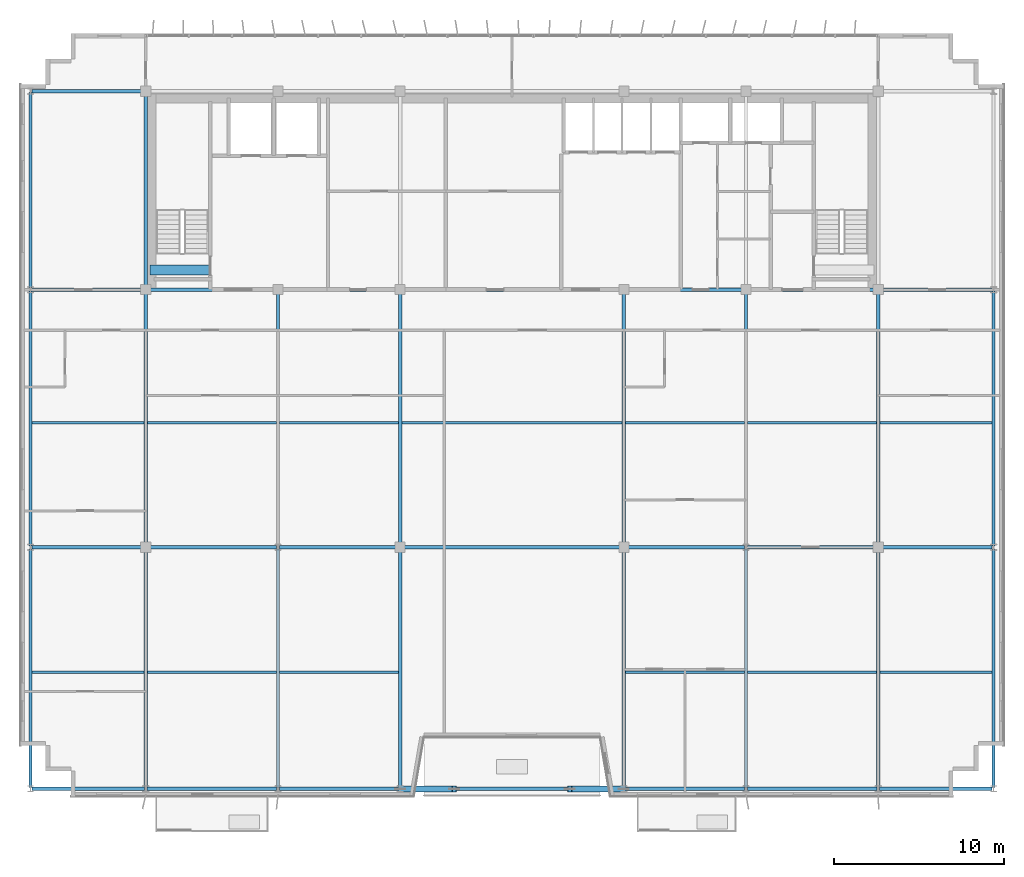
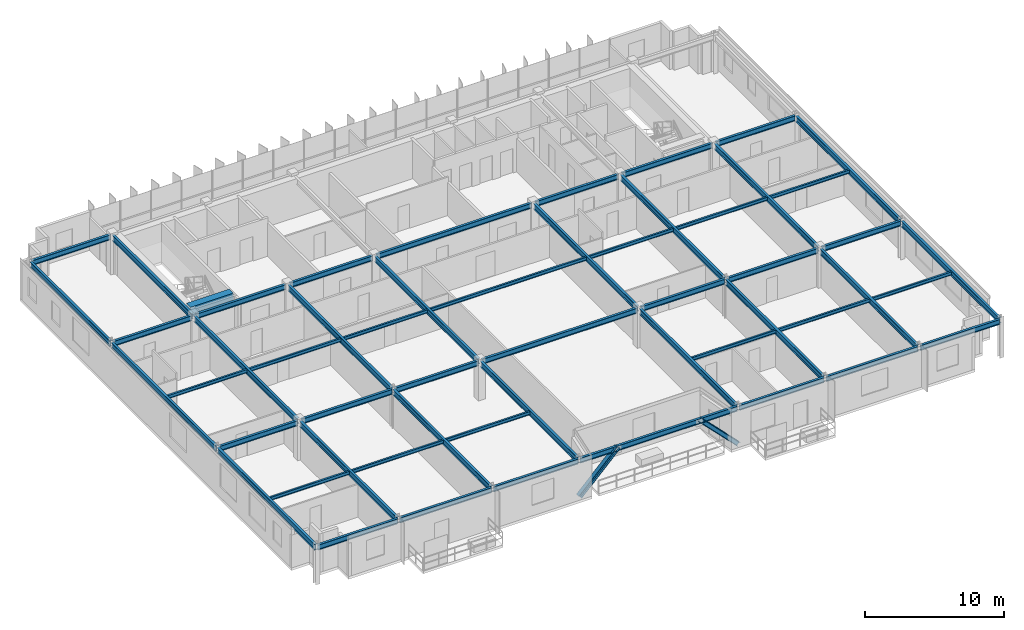
# One storey, part 5 of 22: 54 beams, 2 members.
"""IFC4 building model written with IfcOpenShell, lengths in metres."""

from ifc_helpers import new_model, si_unit, direction, frame, origin, origin_2d, place, context, subcontext, project, spatial, rectangle, i_section, extrude, source, transform, mapped, material, material_profile, profile_set, type_object, element, save


model = new_model("IFC4")

# Units and contexts
model_context = context("Model", 3, precision=1e-05, world=origin(), true_north=direction((0.0, 1.0)))
body_context = subcontext(model_context, "Body", "Model", "MODEL_VIEW")
ifc_project = project(units=[si_unit("LENGTHUNIT", "METRE"), si_unit("AREAUNIT", "SQUARE_METRE"), si_unit("VOLUMEUNIT", "CUBIC_METRE"), si_unit("PLANEANGLEUNIT", "RADIAN"), si_unit("MASSUNIT", "GRAM", prefix="KILO")], contexts=[model_context])

# Site, building, storey
site_placement = place(None, origin())
site = spatial("IfcSite", under=ifc_project, at=site_placement, CompositionType="ELEMENT")
building_placement = place(site_placement, origin())
building = spatial("IfcBuilding", under=site, at=building_placement, Name="Trelvane Seafront Commons", CompositionType="ELEMENT")
storey_placement = place(building_placement, frame((0.0, 0.0, 288.300048828125)))
storey = spatial("IfcBuildingStorey", under=building, at=storey_placement, Name="L75", CompositionType="ELEMENT", Elevation=288.300048828125)

# Beams
ifc_material_1 = material(Name="Concrete C60/75", Category="concrete")
ifc_material_profile_1 = material_profile(ifc_material_1, rectangle(XDim=0.60009765625, YDim=0.89990234375, at=origin_2d()), Name="RC-600x900")
ifc_profile_set_1 = profile_set([ifc_material_profile_1], Name="Concrete C60/75")
beam_type_1 = type_object("IfcBeamType", Name="STR-LNT-RC600x900", PredefinedType="LINTEL", material=ifc_profile_set_1)
shared_shape_1 = source(origin(), body_context, "Body", "SweptSolid", [
    extrude(rectangle(XDim=0.60009765625, YDim=0.89990234375, at=origin_2d()), origin(), (0.0, 0.0, 1.0), 3.5498046875),
])
beam_1_placement = place(storey_placement, frame((15.85009765625, 34.550048828125, 2.919921875), z_axis=(1.0, 0.0, 0.0), x_axis=(0.0, 1.0, 0.0)))
element("IfcBeam", 1, at=beam_1_placement, inside=storey, type_object=beam_type_1, Name="L75 Core Coupling Lintel Beam CB-66", PredefinedType="LINTEL", context=body_context, shape_type="MappedRepresentation", body=[
    mapped(shared_shape_1, transform((0.0, 0.0, 0.0), x_axis=(1.0, 0.0, 0.0), y_axis=(0.0, 1.0, 0.0), z_axis=(0.0, 0.0, 1.0), scale=1.0)),
])
ifc_material_2 = material(Name="Steel SM355 (S355)", Category="steel")
ifc_material_profile_2 = material_profile(ifc_material_2, i_section(OverallWidth=0.199951171875, OverallDepth=0.5, WebThickness=0.010009765625, FlangeThickness=0.01611328125, at=origin_2d()), Name="H-500x200x10x16")
ifc_profile_set_2 = profile_set([ifc_material_profile_2], Name="Steel SM355 (S355)")
beam_type_2 = type_object("IfcBeamType", Name="STR-BM-H500", PredefinedType="BEAM", material=ifc_profile_set_2)
shared_shape_2 = source(origin(), body_context, "Body", "SweptSolid", [
    extrude(i_section(OverallWidth=0.199951171875, OverallDepth=0.5, WebThickness=0.010009765625, FlangeThickness=0.01611328125, at=origin_2d()), origin(), (0.0, 0.0, 1.0), 14.89990234375),
])
for number, where, z_axis, x_axis, name in (
    (2, (15.60009765625, 18.35009765625, 3.119873046875), (0.0, 1.0, 0.0), (-1.0, 0.0, 0.0), "L75 Primary Girder G-33"),
    (3, (30.60009765625, 18.35009765625, 3.119873046875), (0.0, 1.0, 0.0), (-1.0, 0.0, 0.0), "L75 Primary Girder G-39"),
    (4, (43.800048828125, 18.35009765625, 3.119873046875), (0.0, 1.0, 0.0), (-1.0, 0.0, 0.0), "L75 Primary Girder G-42"),
    (5, (58.800048828125, 18.35009765625, 3.119873046875), (0.0, 1.0, 0.0), (-1.0, 0.0, 0.0), "L75 Primary Girder G-48"),
):
    element("IfcBeam", number, at=place(storey_placement, frame(where, z_axis=z_axis, x_axis=x_axis)), inside=storey, type_object=beam_type_2, Name=name, PredefinedType="BEAM", context=body_context, shape_type="MappedRepresentation", body=[
        mapped(shared_shape_2, transform((0.0, 0.0, 0.0), x_axis=(1.0, 0.0, 0.0), y_axis=(0.0, 1.0, 0.0), z_axis=(0.0, 0.0, 1.0), scale=1.0)),
    ])
shared_shape_3 = source(origin(), body_context, "Body", "SweptSolid", [
    extrude(i_section(OverallWidth=0.199951171875, OverallDepth=0.5, WebThickness=0.010009765625, FlangeThickness=0.01611328125, at=origin_2d()), origin(), (0.0, 0.0, 1.0), 11.39990234375),
])
beam_2_placement = place(storey_placement, frame((15.60009765625, 33.550048828125, 3.119873046875), z_axis=(0.0, 1.0, 0.0), x_axis=(-1.0, 0.0, 0.0)))
element("IfcBeam", 6, at=beam_2_placement, inside=storey, type_object=beam_type_2, Name="L75 Primary Girder G-34", PredefinedType="BEAM", context=body_context, shape_type="MappedRepresentation", body=[
    mapped(shared_shape_3, transform((0.0, 0.0, 0.0), x_axis=(1.0, 0.0, 0.0), y_axis=(0.0, 1.0, 0.0), z_axis=(0.0, 0.0, 1.0), scale=1.0)),
])
ifc_material_profile_3 = material_profile(ifc_material_2, i_section(OverallWidth=0.199951171875, OverallDepth=0.449951171875, WebThickness=0.009033203125, FlangeThickness=0.013916015625, at=origin_2d()), Name="H-450x200x9x14")
ifc_profile_set_3 = profile_set([ifc_material_profile_3], Name="Steel SM355 (S355)")
beam_type_3 = type_object("IfcBeamType", Name="STR-SPD-H450", PredefinedType="SPANDREL", material=ifc_profile_set_3)
shared_shape_4 = source(origin(), body_context, "Body", "SweptSolid", [
    extrude(i_section(OverallWidth=0.199951171875, OverallDepth=0.449951171875, WebThickness=0.009033203125, FlangeThickness=0.013916015625, at=origin_2d()), origin(), (0.0, 0.0, 1.0), 6.625),
])
for number, where, z_axis, x_axis, name in (
    (7, (8.887451171875, 3.949951171875, 3.14501953125), (1.0, 0.0, 0.0), (0.0, 1.0, 0.0), "L75 Primary Girder G-01"),
    (8, (58.887451171875, 3.949951171875, 3.14501953125), (1.0, 0.0, 0.0), (0.0, 1.0, 0.0), "L75 Primary Girder G-07"),
):
    element("IfcBeam", number, at=place(storey_placement, frame(where, z_axis=z_axis, x_axis=x_axis)), inside=storey, type_object=beam_type_3, Name=name, PredefinedType="SPANDREL", context=body_context, shape_type="MappedRepresentation", body=[
        mapped(shared_shape_4, transform((0.0, 0.0, 0.0), x_axis=(1.0, 0.0, 0.0), y_axis=(0.0, 1.0, 0.0), z_axis=(0.0, 0.0, 1.0), scale=1.0)),
    ])
shared_shape_5 = source(origin(), body_context, "Body", "SweptSolid", [
    extrude(i_section(OverallWidth=0.199951171875, OverallDepth=0.449951171875, WebThickness=0.009033203125, FlangeThickness=0.013916015625, at=origin_2d()), origin(), (0.0, 0.0, 1.0), 7.625),
])
for number, where, z_axis, x_axis, name in (
    (9, (15.6875, 3.949951171875, 3.14501953125), (1.0, 0.0, 0.0), (0.0, 1.0, 0.0), "L75 Primary Girder G-02"),
    (10, (51.08740234375, 3.949951171875, 3.14501953125), (1.0, 0.0, 0.0), (0.0, 1.0, 0.0), "L75 Primary Girder G-06"),
):
    element("IfcBeam", number, at=place(storey_placement, frame(where, z_axis=z_axis, x_axis=x_axis)), inside=storey, type_object=beam_type_3, Name=name, PredefinedType="SPANDREL", context=body_context, shape_type="MappedRepresentation", body=[
        mapped(shared_shape_5, transform((0.0, 0.0, 0.0), x_axis=(1.0, 0.0, 0.0), y_axis=(0.0, 1.0, 0.0), z_axis=(0.0, 0.0, 1.0), scale=1.0)),
    ])
shared_shape_6 = source(origin(), body_context, "Body", "SweptSolid", [
    extrude(i_section(OverallWidth=0.199951171875, OverallDepth=0.449951171875, WebThickness=0.009033203125, FlangeThickness=0.013916015625, at=origin_2d()), origin(), (0.0, 0.0, 1.0), 7.02490234375),
])
beam_3_placement = place(storey_placement, frame((23.487548828125, 3.949951171875, 3.14501953125), z_axis=(1.0, 0.0, 0.0), x_axis=(0.0, 1.0, 0.0)))
element("IfcBeam", 11, at=beam_3_placement, inside=storey, type_object=beam_type_3, Name="L75 Primary Girder G-03", PredefinedType="SPANDREL", context=body_context, shape_type="MappedRepresentation", body=[
    mapped(shared_shape_6, transform((0.0, 0.0, 0.0), x_axis=(1.0, 0.0, 0.0), y_axis=(0.0, 1.0, 0.0), z_axis=(0.0, 0.0, 1.0), scale=1.0)),
])
shared_shape_7 = source(origin(), body_context, "Body", "SweptSolid", [
    extrude(i_section(OverallWidth=0.199951171875, OverallDepth=0.449951171875, WebThickness=0.009033203125, FlangeThickness=0.013916015625, at=origin_2d()), origin(), (0.0, 0.0, 1.0), 7.025146484375),
])
beam_4_placement = place(storey_placement, frame((43.887451171875, 3.949951171875, 3.14501953125), z_axis=(1.0, 0.0, 0.0), x_axis=(0.0, 1.0, 0.0)))
element("IfcBeam", 12, at=beam_4_placement, inside=storey, type_object=beam_type_3, Name="L75 Primary Girder G-05", PredefinedType="SPANDREL", context=body_context, shape_type="MappedRepresentation", body=[
    mapped(shared_shape_7, transform((0.0, 0.0, 0.0), x_axis=(1.0, 0.0, 0.0), y_axis=(0.0, 1.0, 0.0), z_axis=(0.0, 0.0, 1.0), scale=1.0)),
])
shared_shape_8 = source(origin(), body_context, "Body", "SweptSolid", [
    extrude(i_section(OverallWidth=0.199951171875, OverallDepth=0.449951171875, WebThickness=0.009033203125, FlangeThickness=0.013916015625, at=origin_2d()), origin(), (0.0, 0.0, 1.0), 6.5625),
])
for number, where, z_axis, x_axis, name in (
    (13, (8.887451171875, 18.199951171875, 3.14501953125), (1.0, 0.0, 0.0), (0.0, 1.0, 0.0), "L75 Primary Girder G-08"),
    (14, (58.949951171875, 18.199951171875, 3.14501953125), (1.0, 0.0, 0.0), (0.0, 1.0, 0.0), "L75 Primary Girder G-14"),
    (15, (8.887451171875, 33.39990234375, 3.14501953125), (1.0, 0.0, 0.0), (0.0, 1.0, 0.0), "L75 Primary Girder G-15"),
    (16, (58.949951171875, 33.39990234375, 3.14501953125), (1.0, 0.0, 0.0), (0.0, 1.0, 0.0), "L75 Primary Girder G-21"),
    (17, (8.887451171875, 45.10009765625, 3.14501953125), (1.0, 0.0, 0.0), (0.0, 1.0, 0.0), "L75 Primary Girder G-22"),
):
    element("IfcBeam", number, at=place(storey_placement, frame(where, z_axis=z_axis, x_axis=x_axis)), inside=storey, type_object=beam_type_3, Name=name, PredefinedType="SPANDREL", context=body_context, shape_type="MappedRepresentation", body=[
        mapped(shared_shape_8, transform((0.0, 0.0, 0.0), x_axis=(1.0, 0.0, 0.0), y_axis=(0.0, 1.0, 0.0), z_axis=(0.0, 0.0, 1.0), scale=1.0)),
    ])
shared_shape_9 = source(origin(), body_context, "Body", "SweptSolid", [
    extrude(i_section(OverallWidth=0.199951171875, OverallDepth=0.449951171875, WebThickness=0.009033203125, FlangeThickness=0.013916015625, at=origin_2d()), origin(), (0.0, 0.0, 1.0), 7.5625),
])
for number, where, z_axis, x_axis, name in (
    (18, (15.75, 18.199951171875, 3.14501953125), (1.0, 0.0, 0.0), (0.0, 1.0, 0.0), "L75 Primary Girder G-09"),
    (19, (51.08740234375, 18.199951171875, 3.14501953125), (1.0, 0.0, 0.0), (0.0, 1.0, 0.0), "L75 Primary Girder G-13"),
):
    element("IfcBeam", number, at=place(storey_placement, frame(where, z_axis=z_axis, x_axis=x_axis)), inside=storey, type_object=beam_type_3, Name=name, PredefinedType="SPANDREL", context=body_context, shape_type="MappedRepresentation", body=[
        mapped(shared_shape_9, transform((0.0, 0.0, 0.0), x_axis=(1.0, 0.0, 0.0), y_axis=(0.0, 1.0, 0.0), z_axis=(0.0, 0.0, 1.0), scale=1.0)),
    ])
shared_shape_10 = source(origin(), body_context, "Body", "SweptSolid", [
    extrude(i_section(OverallWidth=0.199951171875, OverallDepth=0.449951171875, WebThickness=0.009033203125, FlangeThickness=0.013916015625, at=origin_2d()), origin(), (0.0, 0.0, 1.0), 6.96240234375),
])
beam_5_placement = place(storey_placement, frame((23.487548828125, 18.199951171875, 3.14501953125), z_axis=(1.0, 0.0, 0.0), x_axis=(0.0, 1.0, 0.0)))
element("IfcBeam", 20, at=beam_5_placement, inside=storey, type_object=beam_type_3, Name="L75 Primary Girder G-10", PredefinedType="SPANDREL", context=body_context, shape_type="MappedRepresentation", body=[
    mapped(shared_shape_10, transform((0.0, 0.0, 0.0), x_axis=(1.0, 0.0, 0.0), y_axis=(0.0, 1.0, 0.0), z_axis=(0.0, 0.0, 1.0), scale=1.0)),
])
shared_shape_11 = source(origin(), body_context, "Body", "SweptSolid", [
    extrude(i_section(OverallWidth=0.199951171875, OverallDepth=0.449951171875, WebThickness=0.009033203125, FlangeThickness=0.013916015625, at=origin_2d()), origin(), (0.0, 0.0, 1.0), 6.962646484375),
])
beam_6_placement = place(storey_placement, frame((43.949951171875, 18.199951171875, 3.14501953125), z_axis=(1.0, 0.0, 0.0), x_axis=(0.0, 1.0, 0.0)))
element("IfcBeam", 21, at=beam_6_placement, inside=storey, type_object=beam_type_3, Name="L75 Primary Girder G-12", PredefinedType="SPANDREL", context=body_context, shape_type="MappedRepresentation", body=[
    mapped(shared_shape_11, transform((0.0, 0.0, 0.0), x_axis=(1.0, 0.0, 0.0), y_axis=(0.0, 1.0, 0.0), z_axis=(0.0, 0.0, 1.0), scale=1.0)),
])
shared_shape_12 = source(origin(), body_context, "Body", "SweptSolid", [
    extrude(i_section(OverallWidth=0.199951171875, OverallDepth=0.449951171875, WebThickness=0.009033203125, FlangeThickness=0.013916015625, at=origin_2d()), origin(), (0.0, 0.0, 1.0), 7.5),
])
for number, where, z_axis, x_axis, name in (
    (22, (15.75, 33.39990234375, 3.14501953125), (1.0, 0.0, 0.0), (0.0, 1.0, 0.0), "L75 Primary Girder G-16"),
    (23, (51.14990234375, 33.39990234375, 3.14501953125), (1.0, 0.0, 0.0), (0.0, 1.0, 0.0), "L75 Primary Girder G-20"),
):
    element("IfcBeam", number, at=place(storey_placement, frame(where, z_axis=z_axis, x_axis=x_axis)), inside=storey, type_object=beam_type_3, Name=name, PredefinedType="SPANDREL", context=body_context, shape_type="MappedRepresentation", body=[
        mapped(shared_shape_12, transform((0.0, 0.0, 0.0), x_axis=(1.0, 0.0, 0.0), y_axis=(0.0, 1.0, 0.0), z_axis=(0.0, 0.0, 1.0), scale=1.0)),
    ])
shared_shape_13 = source(origin(), body_context, "Body", "SweptSolid", [
    extrude(i_section(OverallWidth=0.199951171875, OverallDepth=0.449951171875, WebThickness=0.009033203125, FlangeThickness=0.013916015625, at=origin_2d()), origin(), (0.0, 0.0, 1.0), 6.89990234375),
])
beam_7_placement = place(storey_placement, frame((23.550048828125, 33.39990234375, 3.14501953125), z_axis=(1.0, 0.0, 0.0), x_axis=(0.0, 1.0, 0.0)))
element("IfcBeam", 24, at=beam_7_placement, inside=storey, type_object=beam_type_3, Name="L75 Primary Girder G-17", PredefinedType="SPANDREL", context=body_context, shape_type="MappedRepresentation", body=[
    mapped(shared_shape_13, transform((0.0, 0.0, 0.0), x_axis=(1.0, 0.0, 0.0), y_axis=(0.0, 1.0, 0.0), z_axis=(0.0, 0.0, 1.0), scale=1.0)),
])
shared_shape_14 = source(origin(), body_context, "Body", "SweptSolid", [
    extrude(i_section(OverallWidth=0.199951171875, OverallDepth=0.449951171875, WebThickness=0.009033203125, FlangeThickness=0.013916015625, at=origin_2d()), origin(), (0.0, 0.0, 1.0), 12.89990234375),
])
for number, where, z_axis, x_axis, name in (
    (25, (30.75, 18.199951171875, 3.14501953125), (1.0, 0.0, 0.0), (0.0, 1.0, 0.0), "L75 Primary Girder G-11"),
    (26, (30.75, 33.39990234375, 3.14501953125), (1.0, 0.0, 0.0), (0.0, 1.0, 0.0), "L75 Primary Girder G-18"),
):
    element("IfcBeam", number, at=place(storey_placement, frame(where, z_axis=z_axis, x_axis=x_axis)), inside=storey, type_object=beam_type_3, Name=name, PredefinedType="SPANDREL", context=body_context, shape_type="MappedRepresentation", body=[
        mapped(shared_shape_14, transform((0.0, 0.0, 0.0), x_axis=(1.0, 0.0, 0.0), y_axis=(0.0, 1.0, 0.0), z_axis=(0.0, 0.0, 1.0), scale=1.0)),
    ])
shared_shape_15 = source(origin(), body_context, "Body", "SweptSolid", [
    extrude(i_section(OverallWidth=0.199951171875, OverallDepth=0.449951171875, WebThickness=0.009033203125, FlangeThickness=0.013916015625, at=origin_2d()), origin(), (0.0, 0.0, 1.0), 6.900146484375),
])
beam_8_placement = place(storey_placement, frame((43.949951171875, 33.39990234375, 3.14501953125), z_axis=(1.0, 0.0, 0.0), x_axis=(0.0, 1.0, 0.0)))
element("IfcBeam", 27, at=beam_8_placement, inside=storey, type_object=beam_type_3, Name="L75 Primary Girder G-19", PredefinedType="SPANDREL", context=body_context, shape_type="MappedRepresentation", body=[
    mapped(shared_shape_15, transform((0.0, 0.0, 0.0), x_axis=(1.0, 0.0, 0.0), y_axis=(0.0, 1.0, 0.0), z_axis=(0.0, 0.0, 1.0), scale=1.0)),
])
shared_shape_16 = source(origin(), body_context, "Body", "SweptSolid", [
    extrude(i_section(OverallWidth=0.199951171875, OverallDepth=0.5, WebThickness=0.010009765625, FlangeThickness=0.01611328125, at=origin_2d()), origin(), (0.0, 0.0, 1.0), 14.074951171875),
])
for number, where, z_axis, x_axis, name in (
    (28, (8.800048828125, 4.03759765625, 3.119873046875), (0.0, 1.0, 0.0), (-1.0, 0.0, 0.0), "L75 Primary Girder G-29"),
    (29, (23.39990234375, 4.03759765625, 3.119873046875), (0.0, 1.0, 0.0), (-1.0, 0.0, 0.0), "L75 Primary Girder G-35"),
    (30, (51.0, 4.03759765625, 3.119873046875), (0.0, 1.0, 0.0), (-1.0, 0.0, 0.0), "L75 Primary Girder G-44"),
    (31, (65.60009765625, 4.03759765625, 3.119873046875), (0.0, 1.0, 0.0), (-1.0, 0.0, 0.0), "L75 Primary Girder G-50"),
):
    element("IfcBeam", number, at=place(storey_placement, frame(where, z_axis=z_axis, x_axis=x_axis)), inside=storey, type_object=beam_type_2, Name=name, PredefinedType="BEAM", context=body_context, shape_type="MappedRepresentation", body=[
        mapped(shared_shape_16, transform((0.0, 0.0, 0.0), x_axis=(1.0, 0.0, 0.0), y_axis=(0.0, 1.0, 0.0), z_axis=(0.0, 0.0, 1.0), scale=1.0)),
    ])
shared_shape_17 = source(origin(), body_context, "Body", "SweptSolid", [
    extrude(i_section(OverallWidth=0.199951171875, OverallDepth=0.5, WebThickness=0.010009765625, FlangeThickness=0.01611328125, at=origin_2d()), origin(), (0.0, 0.0, 1.0), 15.02490234375),
])
for number, where, z_axis, x_axis, name in (
    (32, (8.800048828125, 18.28759765625, 3.119873046875), (0.0, 1.0, 0.0), (-1.0, 0.0, 0.0), "L75 Primary Girder G-30"),
    (33, (65.60009765625, 18.28759765625, 3.119873046875), (0.0, 1.0, 0.0), (-1.0, 0.0, 0.0), "L75 Primary Girder G-51"),
):
    element("IfcBeam", number, at=place(storey_placement, frame(where, z_axis=z_axis, x_axis=x_axis)), inside=storey, type_object=beam_type_2, Name=name, PredefinedType="BEAM", context=body_context, shape_type="MappedRepresentation", body=[
        mapped(shared_shape_17, transform((0.0, 0.0, 0.0), x_axis=(1.0, 0.0, 0.0), y_axis=(0.0, 1.0, 0.0), z_axis=(0.0, 0.0, 1.0), scale=1.0)),
    ])
shared_shape_18 = source(origin(), body_context, "Body", "SweptSolid", [
    extrude(i_section(OverallWidth=0.199951171875, OverallDepth=0.5, WebThickness=0.010009765625, FlangeThickness=0.01611328125, at=origin_2d()), origin(), (0.0, 0.0, 1.0), 11.52490234375),
])
beam_9_placement = place(storey_placement, frame((8.800048828125, 33.487548828125, 3.119873046875), z_axis=(0.0, 1.0, 0.0), x_axis=(-1.0, 0.0, 0.0)))
element("IfcBeam", 34, at=beam_9_placement, inside=storey, type_object=beam_type_2, Name="L75 Primary Girder G-31", PredefinedType="BEAM", context=body_context, shape_type="MappedRepresentation", body=[
    mapped(shared_shape_18, transform((0.0, 0.0, 0.0), x_axis=(1.0, 0.0, 0.0), y_axis=(0.0, 1.0, 0.0), z_axis=(0.0, 0.0, 1.0), scale=1.0)),
])
shared_shape_19 = source(origin(), body_context, "Body", "SweptSolid", [
    extrude(i_section(OverallWidth=0.199951171875, OverallDepth=0.5, WebThickness=0.010009765625, FlangeThickness=0.01611328125, at=origin_2d()), origin(), (0.0, 0.0, 1.0), 14.012451171875),
])
for number, where, z_axis, x_axis, name in (
    (35, (15.60009765625, 4.03759765625, 3.119873046875), (0.0, 1.0, 0.0), (-1.0, 0.0, 0.0), "L75 Primary Girder G-32"),
    (36, (30.60009765625, 4.03759765625, 3.119873046875), (0.0, 1.0, 0.0), (-1.0, 0.0, 0.0), "L75 Primary Girder G-38"),
    (37, (43.800048828125, 4.03759765625, 3.119873046875), (0.0, 1.0, 0.0), (-1.0, 0.0, 0.0), "L75 Primary Girder G-41"),
    (38, (58.800048828125, 4.03759765625, 3.119873046875), (0.0, 1.0, 0.0), (-1.0, 0.0, 0.0), "L75 Primary Girder G-47"),
):
    element("IfcBeam", number, at=place(storey_placement, frame(where, z_axis=z_axis, x_axis=x_axis)), inside=storey, type_object=beam_type_2, Name=name, PredefinedType="BEAM", context=body_context, shape_type="MappedRepresentation", body=[
        mapped(shared_shape_19, transform((0.0, 0.0, 0.0), x_axis=(1.0, 0.0, 0.0), y_axis=(0.0, 1.0, 0.0), z_axis=(0.0, 0.0, 1.0), scale=1.0)),
    ])
shared_shape_20 = source(origin(), body_context, "Body", "SweptSolid", [
    extrude(i_section(OverallWidth=0.199951171875, OverallDepth=0.5, WebThickness=0.010009765625, FlangeThickness=0.01611328125, at=origin_2d()), origin(), (0.0, 0.0, 1.0), 14.96240234375),
])
for number, where, z_axis, x_axis, name in (
    (39, (23.39990234375, 18.28759765625, 3.119873046875), (0.0, 1.0, 0.0), (-1.0, 0.0, 0.0), "L75 Primary Girder G-36"),
    (40, (51.0, 18.28759765625, 3.119873046875), (0.0, 1.0, 0.0), (-1.0, 0.0, 0.0), "L75 Primary Girder G-45"),
):
    element("IfcBeam", number, at=place(storey_placement, frame(where, z_axis=z_axis, x_axis=x_axis)), inside=storey, type_object=beam_type_2, Name=name, PredefinedType="BEAM", context=body_context, shape_type="MappedRepresentation", body=[
        mapped(shared_shape_20, transform((0.0, 0.0, 0.0), x_axis=(1.0, 0.0, 0.0), y_axis=(0.0, 1.0, 0.0), z_axis=(0.0, 0.0, 1.0), scale=1.0)),
    ])
ifc_material_profile_4 = material_profile(ifc_material_2, i_section(OverallWidth=0.14990234375, OverallDepth=0.300048828125, WebThickness=0.006591796875, FlangeThickness=0.009033203125, at=origin_2d()), Name="H-300x150x6.5x9")
ifc_profile_set_4 = profile_set([ifc_material_profile_4], Name="Steel SM355 (S355)")
beam_type_4 = type_object("IfcBeamType", Name="STR-JST-H300", PredefinedType="JOIST", material=ifc_profile_set_4)
shared_shape_21 = source(origin(), body_context, "Body", "SweptSolid", [
    extrude(i_section(OverallWidth=0.14990234375, OverallDepth=0.300048828125, WebThickness=0.006591796875, FlangeThickness=0.009033203125, at=origin_2d()), origin(), (0.0, 0.0, 1.0), 6.60009765625),
])
for number, where, z_axis, x_axis, name in (
    (41, (8.89990234375, 10.824951171875, 3.219970703125), (1.0, 0.0, 0.0), (0.0, 1.0, 0.0), "L75 Secondary Floor Joist B-53"),
    (42, (58.89990234375, 10.824951171875, 3.219970703125), (1.0, 0.0, 0.0), (0.0, 1.0, 0.0), "L75 Secondary Floor Joist B-58"),
    (43, (8.89990234375, 25.550048828125, 3.219970703125), (1.0, 0.0, 0.0), (0.0, 1.0, 0.0), "L75 Secondary Floor Joist B-59"),
    (44, (58.89990234375, 25.550048828125, 3.219970703125), (1.0, 0.0, 0.0), (0.0, 1.0, 0.0), "L75 Secondary Floor Joist B-65"),
):
    element("IfcBeam", number, at=place(storey_placement, frame(where, z_axis=z_axis, x_axis=x_axis)), inside=storey, type_object=beam_type_4, Name=name, PredefinedType="JOIST", context=body_context, shape_type="MappedRepresentation", body=[
        mapped(shared_shape_21, transform((0.0, 0.0, 0.0), x_axis=(1.0, 0.0, 0.0), y_axis=(0.0, 1.0, 0.0), z_axis=(0.0, 0.0, 1.0), scale=1.0)),
    ])
shared_shape_22 = source(origin(), body_context, "Body", "SweptSolid", [
    extrude(i_section(OverallWidth=0.14990234375, OverallDepth=0.300048828125, WebThickness=0.006591796875, FlangeThickness=0.009033203125, at=origin_2d()), origin(), (0.0, 0.0, 1.0), 7.60009765625),
])
for number, where, z_axis, x_axis, name in (
    (45, (15.699951171875, 10.824951171875, 3.219970703125), (1.0, 0.0, 0.0), (0.0, 1.0, 0.0), "L75 Secondary Floor Joist B-54"),
    (46, (15.699951171875, 25.550048828125, 3.219970703125), (1.0, 0.0, 0.0), (0.0, 1.0, 0.0), "L75 Secondary Floor Joist B-60"),
):
    element("IfcBeam", number, at=place(storey_placement, frame(where, z_axis=z_axis, x_axis=x_axis)), inside=storey, type_object=beam_type_4, Name=name, PredefinedType="JOIST", context=body_context, shape_type="MappedRepresentation", body=[
        mapped(shared_shape_22, transform((0.0, 0.0, 0.0), x_axis=(1.0, 0.0, 0.0), y_axis=(0.0, 1.0, 0.0), z_axis=(0.0, 0.0, 1.0), scale=1.0)),
    ])
shared_shape_23 = source(origin(), body_context, "Body", "SweptSolid", [
    extrude(i_section(OverallWidth=0.14990234375, OverallDepth=0.300048828125, WebThickness=0.006591796875, FlangeThickness=0.009033203125, at=origin_2d()), origin(), (0.0, 0.0, 1.0), 7.0),
])
for number, where, z_axis, x_axis, name in (
    (47, (23.5, 10.824951171875, 3.219970703125), (1.0, 0.0, 0.0), (0.0, 1.0, 0.0), "L75 Secondary Floor Joist B-55"),
    (48, (43.89990234375, 10.824951171875, 3.219970703125), (1.0, 0.0, 0.0), (0.0, 1.0, 0.0), "L75 Secondary Floor Joist B-56"),
    (49, (23.5, 25.550048828125, 3.219970703125), (1.0, 0.0, 0.0), (0.0, 1.0, 0.0), "L75 Secondary Floor Joist B-61"),
    (50, (43.89990234375, 25.550048828125, 3.219970703125), (1.0, 0.0, 0.0), (0.0, 1.0, 0.0), "L75 Secondary Floor Joist B-63"),
):
    element("IfcBeam", number, at=place(storey_placement, frame(where, z_axis=z_axis, x_axis=x_axis)), inside=storey, type_object=beam_type_4, Name=name, PredefinedType="JOIST", context=body_context, shape_type="MappedRepresentation", body=[
        mapped(shared_shape_23, transform((0.0, 0.0, 0.0), x_axis=(1.0, 0.0, 0.0), y_axis=(0.0, 1.0, 0.0), z_axis=(0.0, 0.0, 1.0), scale=1.0)),
    ])
shared_shape_24 = source(origin(), body_context, "Body", "SweptSolid", [
    extrude(i_section(OverallWidth=0.14990234375, OverallDepth=0.300048828125, WebThickness=0.006591796875, FlangeThickness=0.009033203125, at=origin_2d()), origin(), (0.0, 0.0, 1.0), 7.599853515625),
])
for number, where, z_axis, x_axis, name in (
    (51, (51.10009765625, 10.824951171875, 3.219970703125), (1.0, 0.0, 0.0), (0.0, 1.0, 0.0), "L75 Secondary Floor Joist B-57"),
    (52, (51.10009765625, 25.550048828125, 3.219970703125), (1.0, 0.0, 0.0), (0.0, 1.0, 0.0), "L75 Secondary Floor Joist B-64"),
):
    element("IfcBeam", number, at=place(storey_placement, frame(where, z_axis=z_axis, x_axis=x_axis)), inside=storey, type_object=beam_type_4, Name=name, PredefinedType="JOIST", context=body_context, shape_type="MappedRepresentation", body=[
        mapped(shared_shape_24, transform((0.0, 0.0, 0.0), x_axis=(1.0, 0.0, 0.0), y_axis=(0.0, 1.0, 0.0), z_axis=(0.0, 0.0, 1.0), scale=1.0)),
    ])
shared_shape_25 = source(origin(), body_context, "Body", "SweptSolid", [
    extrude(i_section(OverallWidth=0.14990234375, OverallDepth=0.300048828125, WebThickness=0.006591796875, FlangeThickness=0.009033203125, at=origin_2d()), origin(), (0.0, 0.0, 1.0), 13.0),
])
beam_10_placement = place(storey_placement, frame((30.699951171875, 25.550048828125, 3.219970703125), z_axis=(1.0, 0.0, 0.0), x_axis=(0.0, 1.0, 0.0)))
element("IfcBeam", 53, at=beam_10_placement, inside=storey, type_object=beam_type_4, Name="L75 Secondary Floor Joist B-62", PredefinedType="JOIST", context=body_context, shape_type="MappedRepresentation", body=[
    mapped(shared_shape_25, transform((0.0, 0.0, 0.0), x_axis=(1.0, 0.0, 0.0), y_axis=(0.0, 1.0, 0.0), z_axis=(0.0, 0.0, 1.0), scale=1.0)),
])
shared_shape_26 = source(origin(), body_context, "Body", "SweptSolid", [
    extrude(i_section(OverallWidth=0.199951171875, OverallDepth=0.449951171875, WebThickness=0.009033203125, FlangeThickness=0.013916015625, at=origin_2d()), origin(), (0.0, 0.0, 1.0), 13.02490234375),
])
beam_11_placement = place(storey_placement, frame((30.6875, 3.949951171875, 3.14501953125), z_axis=(1.0, 0.0, 0.0), x_axis=(0.0, 1.0, 0.0)))
element("IfcBeam", 54, at=beam_11_placement, inside=storey, type_object=beam_type_3, Name="L75 Primary Girder G-04", PredefinedType="SPANDREL", context=body_context, shape_type="MappedRepresentation", body=[
    mapped(shared_shape_26, transform((0.0, 0.0, 0.0), x_axis=(1.0, 0.0, 0.0), y_axis=(0.0, 1.0, 0.0), z_axis=(0.0, 0.0, 1.0), scale=1.0)),
])

# Members
ifc_material_profile_5 = material_profile(ifc_material_2, i_section(OverallWidth=0.35009765625, OverallDepth=0.35009765625, WebThickness=0.01806640625, FlangeThickness=0.028076171875, at=origin_2d()), Name="HD-350x350x18x28")
ifc_profile_set_5 = profile_set([ifc_material_profile_5], Name="Steel SM355 (S355)")
member_type = type_object("IfcMemberType", Name="STR-BRC-HD350", PredefinedType="BRACE", material=ifc_profile_set_5)
shared_shape_27 = source(origin(), body_context, "Body", "SweptSolid", [
    extrude(i_section(OverallWidth=0.35009765625, OverallDepth=0.35009765625, WebThickness=0.01806640625, FlangeThickness=0.028076171875, at=origin_2d()), origin(), (0.0, 0.0, 1.0), 4.56103515625),
])
for number, where, z_axis, x_axis, name in (
    (55, (30.60009765625, 3.949951171875, 0.0), (0.701598817134, 0.0, 0.71257217164), (0.0, 1.0, 0.0), "L75 Sky-Garden V-Chevron Brace SGV-W"),
    (56, (43.800048828125, 3.949951171875, 0.0), (-0.701598817134, 0.0, 0.71257217164), (0.0, -1.0, 0.0), "L75 Sky-Garden V-Chevron Brace SGV-E"),
):
    element("IfcMember", number, at=place(storey_placement, frame(where, z_axis=z_axis, x_axis=x_axis)), inside=storey, type_object=member_type, Name=name, PredefinedType="BRACE", context=body_context, shape_type="MappedRepresentation", body=[
        mapped(shared_shape_27, transform((0.0, 0.0, 0.0), x_axis=(1.0, 0.0, 0.0), y_axis=(0.0, 1.0, 0.0), z_axis=(0.0, 0.0, 1.0), scale=1.0)),
    ])

save(model, "model.ifc")
